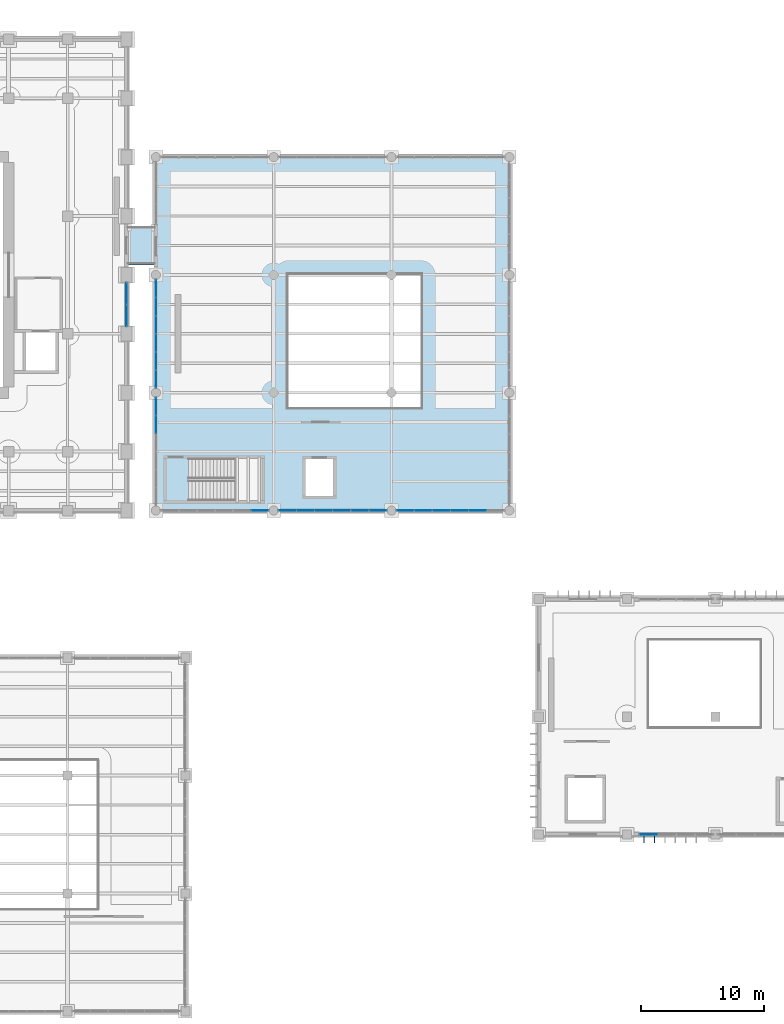
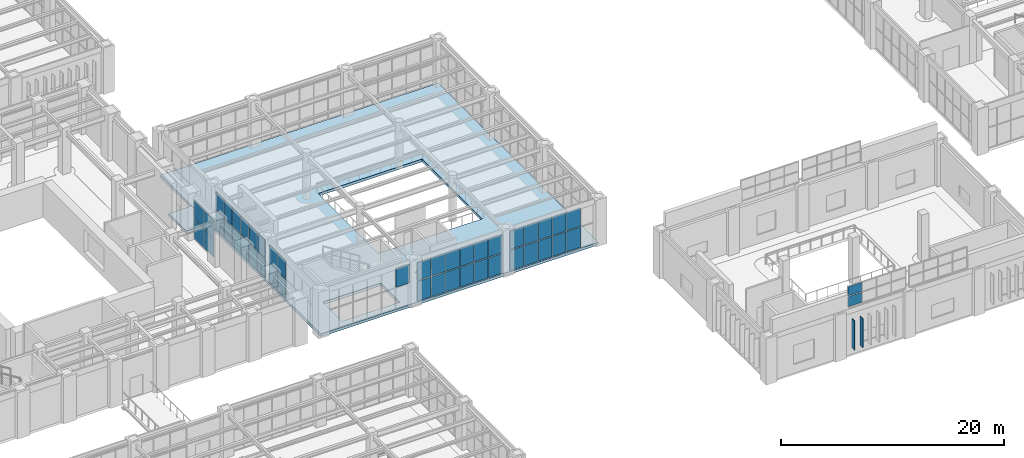
# One storey, part 125 of 174: 47 plates, 2 slabs, 7 elements without a shape of their own.
"""IFC4 building model written with IfcOpenShell, lengths in metres."""

from ifc_helpers import new_model, si_unit, direction, frame, origin, origin_2d, place, context, subcontext, project, spatial, polyline, rectangle, outline, extrude, material, layer, layer_set, type_object, element, aggregate, save


model = new_model("IFC4")

# Units and contexts
model_context = context("Model", 3, precision=1e-05, world=origin(), true_north=direction((0.0, 1.0)))
body_context = subcontext(model_context, "Body", "Model", "MODEL_VIEW")
ifc_project = project(units=[si_unit("LENGTHUNIT", "METRE"), si_unit("AREAUNIT", "SQUARE_METRE"), si_unit("VOLUMEUNIT", "CUBIC_METRE"), si_unit("PLANEANGLEUNIT", "RADIAN"), si_unit("MASSUNIT", "GRAM", prefix="KILO")], contexts=[model_context])

# Site, building, storey
site_placement = place(None, origin())
site = spatial("IfcSite", under=ifc_project, at=site_placement, CompositionType="ELEMENT")
building_placement = place(site_placement, origin())
building = spatial("IfcBuilding", under=site, at=building_placement, Name="Mavantir Sound Aquarium", CompositionType="ELEMENT")
storey_placement = place(building_placement, frame((0.0, 0.0, 5.39990234375)))
storey = spatial("IfcBuildingStorey", under=building, at=storey_placement, Name="L01", CompositionType="ELEMENT", Elevation=5.39990234375)

# Curtain wall, plates
ifc_material_1 = material(Name="Anodised Marine Aluminium and Low-E Glass", Category="aluminium")
curtain_wall_type_1 = type_object("IfcCurtainWallType", Name="CW-T15", PredefinedType="USERDEFINED", material=ifc_material_1)
curtain_wall_1_placement = place(storey_placement, origin())
curtain_wall_1 = element("IfcCurtainWall", 1, at=curtain_wall_1_placement, inside=storey, type_object=curtain_wall_type_1, Name="L01 unitised curtain wall CW-15 63", ObjectType="UNITISED GLAZING", PredefinedType="USERDEFINED")
ifc_material_2 = material(Name="Solar-Control Laminated Low-E Glass", Category="glass")
ifc_layer_1 = layer(ifc_material_2, 0.028076171875, Name="Solar-Control Laminated Low-E Glass")
ifc_layer_set_1 = layer_set([ifc_layer_1], Name="Solar-Control Laminated Low-E Glass")
plate_type_1 = type_object("IfcPlateType", Name="CW-PNL-28", PredefinedType="CURTAIN_PANEL", material=ifc_layer_set_1)
plate_1_placement = place(storey_placement, frame((36.0, 49.28076171875, 0.10302734375), z_axis=(0.0, 0.0, 1.0), x_axis=(0.0, -1.0, 0.0)))
plate_1 = element("IfcPlate", 2, at=plate_1_placement, type_object=plate_type_1, Name="CW-L01-063 glazed curtain panel 1.1", PredefinedType="CURTAIN_PANEL", context=body_context, shape_type="SweptSolid", body=[
    extrude(rectangle(XDim=1.42431640625, YDim=0.028076171875, at=origin_2d()), origin(), (0.0, 0.0, 1.0), 2.110595703125),
])
plate_2_placement = place(storey_placement, frame((36.0, 49.28076171875, 2.3095703125), z_axis=(0.0, 0.0, 1.0), x_axis=(0.0, -1.0, 0.0)))
plate_2 = element("IfcPlate", 3, at=plate_2_placement, type_object=plate_type_1, Name="CW-L01-063 glazed curtain panel 1.2", PredefinedType="CURTAIN_PANEL", context=body_context, shape_type="SweptSolid", body=[
    extrude(rectangle(XDim=1.42431640625, YDim=0.028076171875, at=origin_2d()), origin(), (0.0, 0.0, 1.0), 1.9365234375),
])
plate_3_placement = place(storey_placement, frame((36.0, 47.80859375, 0.10302734375), z_axis=(0.0, 0.0, 1.0), x_axis=(0.0, -1.0, 0.0)))
plate_3 = element("IfcPlate", 4, at=plate_3_placement, type_object=plate_type_1, Name="CW-L01-063 glazed curtain panel 2.1", PredefinedType="CURTAIN_PANEL", context=body_context, shape_type="SweptSolid", body=[
    extrude(rectangle(XDim=1.42431640625, YDim=0.028076171875, at=origin_2d()), origin(), (0.0, 0.0, 1.0), 2.110595703125),
])
plate_4_placement = place(storey_placement, frame((36.0, 47.80859375, 2.3095703125), z_axis=(0.0, 0.0, 1.0), x_axis=(0.0, -1.0, 0.0)))
plate_4 = element("IfcPlate", 5, at=plate_4_placement, type_object=plate_type_1, Name="CW-L01-063 glazed curtain panel 2.2", PredefinedType="CURTAIN_PANEL", context=body_context, shape_type="SweptSolid", body=[
    extrude(rectangle(XDim=1.42431640625, YDim=0.028076171875, at=origin_2d()), origin(), (0.0, 0.0, 1.0), 1.9365234375),
])
aggregate(curtain_wall_1, [plate_1, plate_2, plate_3, plate_4])

curtain_wall_type_2 = type_object("IfcCurtainWallType", Name="CW-T17", PredefinedType="USERDEFINED", material=ifc_material_1)
curtain_wall_2_placement = place(storey_placement, origin())
curtain_wall_2 = element("IfcCurtainWall", 6, at=curtain_wall_2_placement, inside=storey, type_object=curtain_wall_type_2, Name="L01 unitised curtain wall CW-17 65", ObjectType="UNITISED GLAZING", PredefinedType="USERDEFINED")
plate_5_placement = place(storey_placement, frame((46.71923828125, 40.800048828125, 0.10302734375), z_axis=(0.0, 0.0, 1.0), x_axis=(1.0, 0.0, 0.0)))
plate_5 = element("IfcPlate", 7, at=plate_5_placement, type_object=plate_type_1, Name="CW-L01-065 glazed curtain panel 1.1", PredefinedType="CURTAIN_PANEL", context=body_context, shape_type="SweptSolid", body=[
    extrude(rectangle(XDim=1.42431640625, YDim=0.028076171875, at=origin_2d()), origin(), (0.0, 0.0, 1.0), 2.167236328125),
])
plate_6_placement = place(storey_placement, frame((46.71923828125, 40.800048828125, 2.3662109375), z_axis=(0.0, 0.0, 1.0), x_axis=(1.0, 0.0, 0.0)))
plate_6 = element("IfcPlate", 8, at=plate_6_placement, type_object=plate_type_1, Name="CW-L01-065 glazed curtain panel 1.2", PredefinedType="CURTAIN_PANEL", context=body_context, shape_type="SweptSolid", body=[
    extrude(rectangle(XDim=1.42431640625, YDim=0.028076171875, at=origin_2d()), origin(), (0.0, 0.0, 1.0), 1.98876953125),
])
plate_7_placement = place(storey_placement, frame((48.19140625, 40.800048828125, 0.10302734375), z_axis=(0.0, 0.0, 1.0), x_axis=(1.0, 0.0, 0.0)))
plate_7 = element("IfcPlate", 9, at=plate_7_placement, type_object=plate_type_1, Name="CW-L01-065 glazed curtain panel 2.1", PredefinedType="CURTAIN_PANEL", context=body_context, shape_type="SweptSolid", body=[
    extrude(rectangle(XDim=1.42431640625, YDim=0.028076171875, at=origin_2d()), origin(), (0.0, 0.0, 1.0), 2.167236328125),
])
plate_8_placement = place(storey_placement, frame((48.19140625, 40.800048828125, 2.3662109375), z_axis=(0.0, 0.0, 1.0), x_axis=(1.0, 0.0, 0.0)))
plate_8 = element("IfcPlate", 10, at=plate_8_placement, type_object=plate_type_1, Name="CW-L01-065 glazed curtain panel 2.2", PredefinedType="CURTAIN_PANEL", context=body_context, shape_type="SweptSolid", body=[
    extrude(rectangle(XDim=1.42431640625, YDim=0.028076171875, at=origin_2d()), origin(), (0.0, 0.0, 1.0), 1.98876953125),
])
plate_9_placement = place(storey_placement, frame((49.663818359375, 40.800048828125, 0.10302734375), z_axis=(0.0, 0.0, 1.0), x_axis=(1.0, 0.0, 0.0)))
plate_9 = element("IfcPlate", 11, at=plate_9_placement, type_object=plate_type_1, Name="CW-L01-065 glazed curtain panel 3.1", PredefinedType="CURTAIN_PANEL", context=body_context, shape_type="SweptSolid", body=[
    extrude(rectangle(XDim=1.42431640625, YDim=0.028076171875, at=origin_2d()), origin(), (0.0, 0.0, 1.0), 2.167236328125),
])
plate_10_placement = place(storey_placement, frame((49.663818359375, 40.800048828125, 2.3662109375), z_axis=(0.0, 0.0, 1.0), x_axis=(1.0, 0.0, 0.0)))
plate_10 = element("IfcPlate", 12, at=plate_10_placement, type_object=plate_type_1, Name="CW-L01-065 glazed curtain panel 3.2", PredefinedType="CURTAIN_PANEL", context=body_context, shape_type="SweptSolid", body=[
    extrude(rectangle(XDim=1.42431640625, YDim=0.028076171875, at=origin_2d()), origin(), (0.0, 0.0, 1.0), 1.98876953125),
])
plate_11_placement = place(storey_placement, frame((51.13623046875, 40.800048828125, 0.10302734375), z_axis=(0.0, 0.0, 1.0), x_axis=(1.0, 0.0, 0.0)))
plate_11 = element("IfcPlate", 13, at=plate_11_placement, type_object=plate_type_1, Name="CW-L01-065 glazed curtain panel 4.1", PredefinedType="CURTAIN_PANEL", context=body_context, shape_type="SweptSolid", body=[
    extrude(rectangle(XDim=1.42431640625, YDim=0.028076171875, at=origin_2d()), origin(), (0.0, 0.0, 1.0), 2.167236328125),
])
plate_12_placement = place(storey_placement, frame((51.13623046875, 40.800048828125, 2.3662109375), z_axis=(0.0, 0.0, 1.0), x_axis=(1.0, 0.0, 0.0)))
plate_12 = element("IfcPlate", 14, at=plate_12_placement, type_object=plate_type_1, Name="CW-L01-065 glazed curtain panel 4.2", PredefinedType="CURTAIN_PANEL", context=body_context, shape_type="SweptSolid", body=[
    extrude(rectangle(XDim=1.42431640625, YDim=0.028076171875, at=origin_2d()), origin(), (0.0, 0.0, 1.0), 1.98876953125),
])
plate_13_placement = place(storey_placement, frame((52.6083984375, 40.800048828125, 0.10302734375), z_axis=(0.0, 0.0, 1.0), x_axis=(1.0, 0.0, 0.0)))
plate_13 = element("IfcPlate", 15, at=plate_13_placement, type_object=plate_type_1, Name="CW-L01-065 glazed curtain panel 5.1", PredefinedType="CURTAIN_PANEL", context=body_context, shape_type="SweptSolid", body=[
    extrude(rectangle(XDim=1.42431640625, YDim=0.028076171875, at=origin_2d()), origin(), (0.0, 0.0, 1.0), 2.167236328125),
])
plate_14_placement = place(storey_placement, frame((52.6083984375, 40.800048828125, 2.3662109375), z_axis=(0.0, 0.0, 1.0), x_axis=(1.0, 0.0, 0.0)))
plate_14 = element("IfcPlate", 16, at=plate_14_placement, type_object=plate_type_1, Name="CW-L01-065 glazed curtain panel 5.2", PredefinedType="CURTAIN_PANEL", context=body_context, shape_type="SweptSolid", body=[
    extrude(rectangle(XDim=1.42431640625, YDim=0.028076171875, at=origin_2d()), origin(), (0.0, 0.0, 1.0), 1.98876953125),
])
plate_15_placement = place(storey_placement, frame((54.080810546875, 40.800048828125, 0.10302734375), z_axis=(0.0, 0.0, 1.0), x_axis=(1.0, 0.0, 0.0)))
plate_15 = element("IfcPlate", 17, at=plate_15_placement, type_object=plate_type_1, Name="CW-L01-065 glazed curtain panel 6.1", PredefinedType="CURTAIN_PANEL", context=body_context, shape_type="SweptSolid", body=[
    extrude(rectangle(XDim=1.42431640625, YDim=0.028076171875, at=origin_2d()), origin(), (0.0, 0.0, 1.0), 2.167236328125),
])
plate_16_placement = place(storey_placement, frame((54.080810546875, 40.800048828125, 2.3662109375), z_axis=(0.0, 0.0, 1.0), x_axis=(1.0, 0.0, 0.0)))
plate_16 = element("IfcPlate", 18, at=plate_16_placement, type_object=plate_type_1, Name="CW-L01-065 glazed curtain panel 6.2", PredefinedType="CURTAIN_PANEL", context=body_context, shape_type="SweptSolid", body=[
    extrude(rectangle(XDim=1.42431640625, YDim=0.028076171875, at=origin_2d()), origin(), (0.0, 0.0, 1.0), 1.98876953125),
])
aggregate(curtain_wall_2, [plate_5, plate_6, plate_7, plate_8, plate_9, plate_10, plate_11, plate_12, plate_13, plate_14, plate_15, plate_16])

curtain_wall_type_3 = type_object("IfcCurtainWallType", Name="CW-T16", PredefinedType="USERDEFINED", material=ifc_material_1)
curtain_wall_3_placement = place(storey_placement, origin())
curtain_wall_3 = element("IfcCurtainWall", 19, at=curtain_wall_3_placement, inside=storey, type_object=curtain_wall_type_3, Name="L01 unitised curtain wall CW-16 183", ObjectType="UNITISED GLAZING", PredefinedType="USERDEFINED")
plate_17_placement = place(storey_placement, frame((76.152587890625, 14.39990234375, 5.203125), z_axis=(0.0, 0.0, 1.0), x_axis=(1.0, 0.0, 0.0)))
plate_17 = element("IfcPlate", 20, at=plate_17_placement, type_object=plate_type_1, Name="CW-V7LUN-SW glazed curtain panel 1.1", PredefinedType="CURTAIN_PANEL", context=body_context, shape_type="SweptSolid", body=[
    extrude(rectangle(XDim=1.45703125, YDim=0.028076171875, at=origin_2d()), origin(), (0.0, 0.0, 1.0), 1.096923828125),
])
plate_18_placement = place(storey_placement, frame((76.152587890625, 14.39990234375, 6.39599609375), z_axis=(0.0, 0.0, 1.0), x_axis=(1.0, 0.0, 0.0)))
plate_18 = element("IfcPlate", 21, at=plate_18_placement, type_object=plate_type_1, Name="CW-V7LUN-SW glazed curtain panel 1.2", PredefinedType="CURTAIN_PANEL", context=body_context, shape_type="SweptSolid", body=[
    extrude(rectangle(XDim=1.45703125, YDim=0.028076171875, at=origin_2d()), origin(), (0.0, 0.0, 1.0), 1.0009765625),
])
aggregate(curtain_wall_3, [plate_17, plate_18])

curtain_wall_type_4 = type_object("IfcCurtainWallType", Name="CW-T06", PredefinedType="USERDEFINED", material=ifc_material_1)
curtain_wall_4_placement = place(storey_placement, origin())
curtain_wall_4 = element("IfcCurtainWall", 22, at=curtain_wall_4_placement, inside=storey, type_object=curtain_wall_type_4, Name="L01 unitised curtain wall CW-06 54", ObjectType="UNITISED GLAZING", PredefinedType="USERDEFINED")
ifc_layer_2 = layer(ifc_material_2, 0.031982421875, Name="Solar-Control Laminated Low-E Glass")
ifc_layer_set_2 = layer_set([ifc_layer_2], Name="Solar-Control Laminated Low-E Glass")
plate_type_2 = type_object("IfcPlateType", Name="CW-PNL-32", PredefinedType="CURTAIN_PANEL", material=ifc_layer_set_2)
plate_19_placement = place(storey_placement, frame((33.60009765625, 56.7041015625, 0.10302734375), z_axis=(0.0, 0.0, 1.0), x_axis=(0.0, 1.0, 0.0)))
plate_19 = element("IfcPlate", 23, at=plate_19_placement, type_object=plate_type_2, Name="CW-L01-054 glazed curtain panel 1.1", PredefinedType="CURTAIN_PANEL", context=body_context, shape_type="SweptSolid", body=[
    extrude(rectangle(XDim=1.743896484375, YDim=0.031982421875, at=origin_2d()), origin(), (0.0, 0.0, 1.0), 2.115234375),
])
plate_20_placement = place(storey_placement, frame((33.60009765625, 56.7041015625, 2.314208984375), z_axis=(0.0, 0.0, 1.0), x_axis=(0.0, 1.0, 0.0)))
plate_20 = element("IfcPlate", 24, at=plate_20_placement, type_object=plate_type_2, Name="CW-L01-054 glazed curtain panel 1.2", PredefinedType="CURTAIN_PANEL", context=body_context, shape_type="SweptSolid", body=[
    extrude(rectangle(XDim=1.743896484375, YDim=0.031982421875, at=origin_2d()), origin(), (0.0, 0.0, 1.0), 1.94091796875),
])
plate_21_placement = place(storey_placement, frame((33.60009765625, 58.49609375, 0.10302734375), z_axis=(0.0, 0.0, 1.0), x_axis=(0.0, 1.0, 0.0)))
plate_21 = element("IfcPlate", 25, at=plate_21_placement, type_object=plate_type_2, Name="CW-L01-054 glazed curtain panel 2.1", PredefinedType="CURTAIN_PANEL", context=body_context, shape_type="SweptSolid", body=[
    extrude(rectangle(XDim=1.743896484375, YDim=0.031982421875, at=origin_2d()), origin(), (0.0, 0.0, 1.0), 2.115234375),
])
plate_22_placement = place(storey_placement, frame((33.60009765625, 58.49609375, 2.314208984375), z_axis=(0.0, 0.0, 1.0), x_axis=(0.0, 1.0, 0.0)))
plate_22 = element("IfcPlate", 26, at=plate_22_placement, type_object=plate_type_2, Name="CW-L01-054 glazed curtain panel 2.2", PredefinedType="CURTAIN_PANEL", context=body_context, shape_type="SweptSolid", body=[
    extrude(rectangle(XDim=1.743896484375, YDim=0.031982421875, at=origin_2d()), origin(), (0.0, 0.0, 1.0), 1.94091796875),
])
aggregate(curtain_wall_4, [plate_19, plate_20, plate_21, plate_22])

curtain_wall_type_5 = type_object("IfcCurtainWallType", Name="CW-T14", PredefinedType="USERDEFINED", material=ifc_material_1)
curtain_wall_5_placement = place(storey_placement, origin())
curtain_wall_5 = element("IfcCurtainWall", 27, at=curtain_wall_5_placement, inside=storey, type_object=curtain_wall_type_5, Name="L01 unitised curtain wall CW-14 62", ObjectType="UNITISED GLAZING", PredefinedType="USERDEFINED")
plate_23_placement = place(storey_placement, frame((36.0, 58.880859375, 0.10302734375), z_axis=(0.0, 0.0, 1.0), x_axis=(0.0, -1.0, 0.0)))
plate_23 = element("IfcPlate", 28, at=plate_23_placement, type_object=plate_type_2, Name="CW-L01-062 glazed curtain panel 1.1", PredefinedType="CURTAIN_PANEL", context=body_context, shape_type="SweptSolid", body=[
    extrude(rectangle(XDim=1.42431640625, YDim=0.031982421875, at=origin_2d()), origin(), (0.0, 0.0, 1.0), 2.110595703125),
])
plate_24_placement = place(storey_placement, frame((36.0, 58.880859375, 2.3095703125), z_axis=(0.0, 0.0, 1.0), x_axis=(0.0, -1.0, 0.0)))
plate_24 = element("IfcPlate", 29, at=plate_24_placement, type_object=plate_type_2, Name="CW-L01-062 glazed curtain panel 1.2", PredefinedType="CURTAIN_PANEL", context=body_context, shape_type="SweptSolid", body=[
    extrude(rectangle(XDim=1.42431640625, YDim=0.031982421875, at=origin_2d()), origin(), (0.0, 0.0, 1.0), 1.9365234375),
])
plate_25_placement = place(storey_placement, frame((36.0, 57.408447265625, 0.10302734375), z_axis=(0.0, 0.0, 1.0), x_axis=(0.0, -1.0, 0.0)))
plate_25 = element("IfcPlate", 30, at=plate_25_placement, type_object=plate_type_2, Name="CW-L01-062 glazed curtain panel 2.1", PredefinedType="CURTAIN_PANEL", context=body_context, shape_type="SweptSolid", body=[
    extrude(rectangle(XDim=1.42431640625, YDim=0.031982421875, at=origin_2d()), origin(), (0.0, 0.0, 1.0), 2.110595703125),
])
plate_26_placement = place(storey_placement, frame((36.0, 57.408447265625, 2.3095703125), z_axis=(0.0, 0.0, 1.0), x_axis=(0.0, -1.0, 0.0)))
plate_26 = element("IfcPlate", 31, at=plate_26_placement, type_object=plate_type_2, Name="CW-L01-062 glazed curtain panel 2.2", PredefinedType="CURTAIN_PANEL", context=body_context, shape_type="SweptSolid", body=[
    extrude(rectangle(XDim=1.42431640625, YDim=0.031982421875, at=origin_2d()), origin(), (0.0, 0.0, 1.0), 1.9365234375),
])
plate_27_placement = place(storey_placement, frame((36.0, 55.936279296875, 0.10302734375), z_axis=(0.0, 0.0, 1.0), x_axis=(0.0, -1.0, 0.0)))
plate_27 = element("IfcPlate", 32, at=plate_27_placement, type_object=plate_type_2, Name="CW-L01-062 glazed curtain panel 3.1", PredefinedType="CURTAIN_PANEL", context=body_context, shape_type="SweptSolid", body=[
    extrude(rectangle(XDim=1.42431640625, YDim=0.031982421875, at=origin_2d()), origin(), (0.0, 0.0, 1.0), 2.110595703125),
])
plate_28_placement = place(storey_placement, frame((36.0, 55.936279296875, 2.3095703125), z_axis=(0.0, 0.0, 1.0), x_axis=(0.0, -1.0, 0.0)))
plate_28 = element("IfcPlate", 33, at=plate_28_placement, type_object=plate_type_2, Name="CW-L01-062 glazed curtain panel 3.2", PredefinedType="CURTAIN_PANEL", context=body_context, shape_type="SweptSolid", body=[
    extrude(rectangle(XDim=1.42431640625, YDim=0.031982421875, at=origin_2d()), origin(), (0.0, 0.0, 1.0), 1.9365234375),
])
plate_29_placement = place(storey_placement, frame((36.0, 54.4638671875, 0.10302734375), z_axis=(0.0, 0.0, 1.0), x_axis=(0.0, -1.0, 0.0)))
plate_29 = element("IfcPlate", 34, at=plate_29_placement, type_object=plate_type_2, Name="CW-L01-062 glazed curtain panel 4.1", PredefinedType="CURTAIN_PANEL", context=body_context, shape_type="SweptSolid", body=[
    extrude(rectangle(XDim=1.42431640625, YDim=0.031982421875, at=origin_2d()), origin(), (0.0, 0.0, 1.0), 2.110595703125),
])
plate_30_placement = place(storey_placement, frame((36.0, 54.4638671875, 2.3095703125), z_axis=(0.0, 0.0, 1.0), x_axis=(0.0, -1.0, 0.0)))
plate_30 = element("IfcPlate", 35, at=plate_30_placement, type_object=plate_type_2, Name="CW-L01-062 glazed curtain panel 4.2", PredefinedType="CURTAIN_PANEL", context=body_context, shape_type="SweptSolid", body=[
    extrude(rectangle(XDim=1.42431640625, YDim=0.031982421875, at=origin_2d()), origin(), (0.0, 0.0, 1.0), 1.9365234375),
])
plate_31_placement = place(storey_placement, frame((36.0, 52.991455078125, 0.10302734375), z_axis=(0.0, 0.0, 1.0), x_axis=(0.0, -1.0, 0.0)))
plate_31 = element("IfcPlate", 36, at=plate_31_placement, type_object=plate_type_2, Name="CW-L01-062 glazed curtain panel 5.1", PredefinedType="CURTAIN_PANEL", context=body_context, shape_type="SweptSolid", body=[
    extrude(rectangle(XDim=1.42431640625, YDim=0.031982421875, at=origin_2d()), origin(), (0.0, 0.0, 1.0), 2.110595703125),
])
plate_32_placement = place(storey_placement, frame((36.0, 52.991455078125, 2.3095703125), z_axis=(0.0, 0.0, 1.0), x_axis=(0.0, -1.0, 0.0)))
plate_32 = element("IfcPlate", 37, at=plate_32_placement, type_object=plate_type_2, Name="CW-L01-062 glazed curtain panel 5.2", PredefinedType="CURTAIN_PANEL", context=body_context, shape_type="SweptSolid", body=[
    extrude(rectangle(XDim=1.42431640625, YDim=0.031982421875, at=origin_2d()), origin(), (0.0, 0.0, 1.0), 1.9365234375),
])
plate_33_placement = place(storey_placement, frame((36.0, 51.519287109375, 0.10302734375), z_axis=(0.0, 0.0, 1.0), x_axis=(0.0, -1.0, 0.0)))
plate_33 = element("IfcPlate", 38, at=plate_33_placement, type_object=plate_type_2, Name="CW-L01-062 glazed curtain panel 6.1", PredefinedType="CURTAIN_PANEL", context=body_context, shape_type="SweptSolid", body=[
    extrude(rectangle(XDim=1.42431640625, YDim=0.031982421875, at=origin_2d()), origin(), (0.0, 0.0, 1.0), 2.110595703125),
])
plate_34_placement = place(storey_placement, frame((36.0, 51.519287109375, 2.3095703125), z_axis=(0.0, 0.0, 1.0), x_axis=(0.0, -1.0, 0.0)))
plate_34 = element("IfcPlate", 39, at=plate_34_placement, type_object=plate_type_2, Name="CW-L01-062 glazed curtain panel 6.2", PredefinedType="CURTAIN_PANEL", context=body_context, shape_type="SweptSolid", body=[
    extrude(rectangle(XDim=1.42431640625, YDim=0.031982421875, at=origin_2d()), origin(), (0.0, 0.0, 1.0), 1.9365234375),
])
aggregate(curtain_wall_5, [plate_23, plate_24, plate_25, plate_26, plate_27, plate_28, plate_29, plate_30, plate_31, plate_32, plate_33, plate_34])

# Curtain wall, plate
curtain_wall_6_placement = place(storey_placement, origin())
curtain_wall_6 = element("IfcCurtainWall", 40, at=curtain_wall_6_placement, inside=storey, type_object=curtain_wall_type_3, Name="L01 unitised curtain wall CW-16 64", ObjectType="UNITISED GLAZING", PredefinedType="USERDEFINED")
plate_35_placement = place(storey_placement, frame((44.480712890625, 40.800048828125, 2.4208984375), z_axis=(0.0, 0.0, 1.0), x_axis=(1.0, 0.0, 0.0)))
plate_35 = element("IfcPlate", 41, at=plate_35_placement, type_object=plate_type_2, Name="CW-L01-064 glazed curtain panel 6.2", PredefinedType="CURTAIN_PANEL", context=body_context, shape_type="SweptSolid", body=[
    extrude(rectangle(XDim=1.42431640625, YDim=0.031982421875, at=origin_2d()), origin(), (0.0, 0.0, 1.0), 2.039306640625),
])
aggregate(curtain_wall_6, [plate_35])

# Curtain wall, plates
curtain_wall_type_6 = type_object("IfcCurtainWallType", Name="CW-T18", PredefinedType="USERDEFINED", material=ifc_material_1)
curtain_wall_7_placement = place(storey_placement, origin())
curtain_wall_7 = element("IfcCurtainWall", 42, at=curtain_wall_7_placement, inside=storey, type_object=curtain_wall_type_6, Name="L01 unitised curtain wall CW-18 66", ObjectType="UNITISED GLAZING", PredefinedType="USERDEFINED")
plate_36_placement = place(storey_placement, frame((56.319091796875, 40.800048828125, 0.10302734375), z_axis=(0.0, 0.0, 1.0), x_axis=(1.0, 0.0, 0.0)))
plate_36 = element("IfcPlate", 43, at=plate_36_placement, type_object=plate_type_2, Name="CW-L01-066 glazed curtain panel 1.1", PredefinedType="CURTAIN_PANEL", context=body_context, shape_type="SweptSolid", body=[
    extrude(rectangle(XDim=1.42431640625, YDim=0.031982421875, at=origin_2d()), origin(), (0.0, 0.0, 1.0), 2.21142578125),
])
plate_37_placement = place(storey_placement, frame((56.319091796875, 40.800048828125, 2.41064453125), z_axis=(0.0, 0.0, 1.0), x_axis=(1.0, 0.0, 0.0)))
plate_37 = element("IfcPlate", 44, at=plate_37_placement, type_object=plate_type_2, Name="CW-L01-066 glazed curtain panel 1.2", PredefinedType="CURTAIN_PANEL", context=body_context, shape_type="SweptSolid", body=[
    extrude(rectangle(XDim=1.42431640625, YDim=0.031982421875, at=origin_2d()), origin(), (0.0, 0.0, 1.0), 2.029541015625),
])
plate_38_placement = place(storey_placement, frame((57.79150390625, 40.800048828125, 0.10302734375), z_axis=(0.0, 0.0, 1.0), x_axis=(1.0, 0.0, 0.0)))
plate_38 = element("IfcPlate", 45, at=plate_38_placement, type_object=plate_type_2, Name="CW-L01-066 glazed curtain panel 2.1", PredefinedType="CURTAIN_PANEL", context=body_context, shape_type="SweptSolid", body=[
    extrude(rectangle(XDim=1.42431640625, YDim=0.031982421875, at=origin_2d()), origin(), (0.0, 0.0, 1.0), 2.21142578125),
])
plate_39_placement = place(storey_placement, frame((57.79150390625, 40.800048828125, 2.41064453125), z_axis=(0.0, 0.0, 1.0), x_axis=(1.0, 0.0, 0.0)))
plate_39 = element("IfcPlate", 46, at=plate_39_placement, type_object=plate_type_2, Name="CW-L01-066 glazed curtain panel 2.2", PredefinedType="CURTAIN_PANEL", context=body_context, shape_type="SweptSolid", body=[
    extrude(rectangle(XDim=1.42431640625, YDim=0.031982421875, at=origin_2d()), origin(), (0.0, 0.0, 1.0), 2.029541015625),
])
plate_40_placement = place(storey_placement, frame((59.263916015625, 40.800048828125, 0.10302734375), z_axis=(0.0, 0.0, 1.0), x_axis=(1.0, 0.0, 0.0)))
plate_40 = element("IfcPlate", 47, at=plate_40_placement, type_object=plate_type_2, Name="CW-L01-066 glazed curtain panel 3.1", PredefinedType="CURTAIN_PANEL", context=body_context, shape_type="SweptSolid", body=[
    extrude(rectangle(XDim=1.42431640625, YDim=0.031982421875, at=origin_2d()), origin(), (0.0, 0.0, 1.0), 2.21142578125),
])
plate_41_placement = place(storey_placement, frame((59.263916015625, 40.800048828125, 2.41064453125), z_axis=(0.0, 0.0, 1.0), x_axis=(1.0, 0.0, 0.0)))
plate_41 = element("IfcPlate", 48, at=plate_41_placement, type_object=plate_type_2, Name="CW-L01-066 glazed curtain panel 3.2", PredefinedType="CURTAIN_PANEL", context=body_context, shape_type="SweptSolid", body=[
    extrude(rectangle(XDim=1.42431640625, YDim=0.031982421875, at=origin_2d()), origin(), (0.0, 0.0, 1.0), 2.029541015625),
])
plate_42_placement = place(storey_placement, frame((60.736083984375, 40.800048828125, 0.10302734375), z_axis=(0.0, 0.0, 1.0), x_axis=(1.0, 0.0, 0.0)))
plate_42 = element("IfcPlate", 49, at=plate_42_placement, type_object=plate_type_2, Name="CW-L01-066 glazed curtain panel 4.1", PredefinedType="CURTAIN_PANEL", context=body_context, shape_type="SweptSolid", body=[
    extrude(rectangle(XDim=1.42431640625, YDim=0.031982421875, at=origin_2d()), origin(), (0.0, 0.0, 1.0), 2.21142578125),
])
plate_43_placement = place(storey_placement, frame((60.736083984375, 40.800048828125, 2.41064453125), z_axis=(0.0, 0.0, 1.0), x_axis=(1.0, 0.0, 0.0)))
plate_43 = element("IfcPlate", 50, at=plate_43_placement, type_object=plate_type_2, Name="CW-L01-066 glazed curtain panel 4.2", PredefinedType="CURTAIN_PANEL", context=body_context, shape_type="SweptSolid", body=[
    extrude(rectangle(XDim=1.42431640625, YDim=0.031982421875, at=origin_2d()), origin(), (0.0, 0.0, 1.0), 2.029541015625),
])
plate_44_placement = place(storey_placement, frame((62.20849609375, 40.800048828125, 0.10302734375), z_axis=(0.0, 0.0, 1.0), x_axis=(1.0, 0.0, 0.0)))
plate_44 = element("IfcPlate", 51, at=plate_44_placement, type_object=plate_type_2, Name="CW-L01-066 glazed curtain panel 5.1", PredefinedType="CURTAIN_PANEL", context=body_context, shape_type="SweptSolid", body=[
    extrude(rectangle(XDim=1.42431640625, YDim=0.031982421875, at=origin_2d()), origin(), (0.0, 0.0, 1.0), 2.21142578125),
])
plate_45_placement = place(storey_placement, frame((62.20849609375, 40.800048828125, 2.41064453125), z_axis=(0.0, 0.0, 1.0), x_axis=(1.0, 0.0, 0.0)))
plate_45 = element("IfcPlate", 52, at=plate_45_placement, type_object=plate_type_2, Name="CW-L01-066 glazed curtain panel 5.2", PredefinedType="CURTAIN_PANEL", context=body_context, shape_type="SweptSolid", body=[
    extrude(rectangle(XDim=1.42431640625, YDim=0.031982421875, at=origin_2d()), origin(), (0.0, 0.0, 1.0), 2.029541015625),
])
aggregate(curtain_wall_7, [plate_36, plate_37, plate_38, plate_39, plate_40, plate_41, plate_42, plate_43, plate_44, plate_45])

# Plates
ifc_material_3 = material(Name="Coral-Limestone Composite Brise-Soleil Blade", Category="masonry")
ifc_layer_3 = layer(ifc_material_3, 0.06494140625, Name="Coral-Limestone Composite Brise-Soleil Blade")
ifc_layer_set_3 = layer_set([ifc_layer_3], Name="Coral-Limestone Composite Brise-Soleil Blade")
plate_type_3 = type_object("IfcPlateType", Name="PLT-FIN-520", PredefinedType="SHEET", material=ifc_layer_set_3)
for number, where, z_axis, x_axis, name in (
    (53, (75.782958984375, 13.989990234375, 0.70263671875), (0.0, 0.0, 1.0), (-1.0, 0.0, 0.0), "Tropical coral-stone brise-soleil blade 104"),
    (54, (76.633056640625, 13.989990234375, 0.70263671875), (0.0, 0.0, 1.0), (-1.0, 0.0, 0.0), "Tropical coral-stone brise-soleil blade 105"),
):
    element("IfcPlate", number, at=place(storey_placement, frame(where, z_axis=z_axis, x_axis=x_axis)), inside=storey, type_object=plate_type_3, Name=name, PredefinedType="SHEET", context=body_context, shape_type="SweptSolid", body=[
        extrude(rectangle(XDim=0.06494140625, YDim=0.5400390625, at=origin_2d()), origin(), (0.0, 0.0, 1.0), 3.199951171875),
    ])

# Slabs
ifc_material_4 = material(Name="Concrete C40/50", Category="concrete")
ifc_layer_4 = layer(ifc_material_4, 0.280029296875, Name="Concrete C40/50")
ifc_layer_set_4 = layer_set([ifc_layer_4], Name="Concrete C40/50")
slab_type_1 = type_object("IfcSlabType", Name="SLB-BRS-01", PredefinedType="FLOOR", material=ifc_layer_set_4)
slab_1_placement = place(storey_placement, frame((0.0, 0.0, -0.27978515625)))
element("IfcSlab", 55, at=slab_1_placement, inside=storey, type_object=slab_type_1, Name="L01 outdoor bridge slab BRS-01", PredefinedType="FLOOR", context=body_context, shape_type="SweptSolid", body=[
    extrude(outline(polyline([(33.60009765625, 60.800048828125), (36.0, 60.800048828125), (36.0, 64.0), (33.60009765625, 64.0), (33.60009765625, 60.800048828125)])), origin(), (0.0, 0.0, 1.0), 0.27978515625),
])
ifc_layer_5 = layer(ifc_material_4, 0.300048828125, Name="Concrete C40/50")
ifc_layer_set_5 = layer_set([ifc_layer_5], Name="Concrete C40/50")
slab_type_2 = type_object("IfcSlabType", Name="SLB-FS-03", PredefinedType="FLOOR", material=ifc_layer_set_5)
slab_2_placement = place(storey_placement, frame((0.0, 0.0, -0.2998046875)))
element("IfcSlab", 56, at=slab_2_placement, inside=storey, type_object=slab_type_2, Name="L01 structural slab FS-03 (V2)", PredefinedType="FLOOR", context=body_context, shape_type="SweptSolid", body=[
    extrude(outline(polyline([(64.800048828125, 40.800048828125), (64.800048828125, 69.60009765625), (36.0, 69.60009765625), (36.0, 40.800048828125), (64.800048828125, 40.800048828125)]), holes=[polyline([(46.800048828125, 49.199951171875), (57.60009765625, 49.199951171875), (57.60009765625, 60.0), (46.800048828125, 60.0), (46.800048828125, 49.199951171875)]), polyline([(38.64990234375, 41.60009765625), (44.64990234375, 41.60009765625), (44.64990234375, 45.050048828125), (38.64990234375, 45.050048828125), (38.64990234375, 41.60009765625)]), polyline([(48.199951171875, 42.0), (50.449951171875, 42.0), (50.449951171875, 45.0), (48.199951171875, 45.0), (48.199951171875, 42.0)])]), origin(), (0.0, 0.0, 1.0), 0.2998046875),
])

save(model, "model.ifc")
